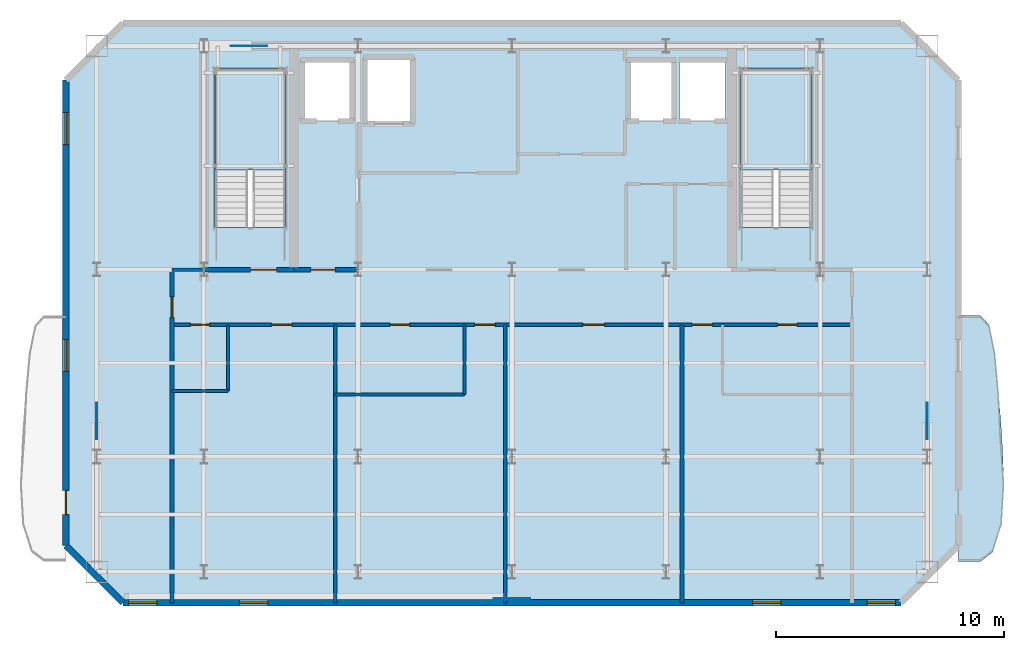
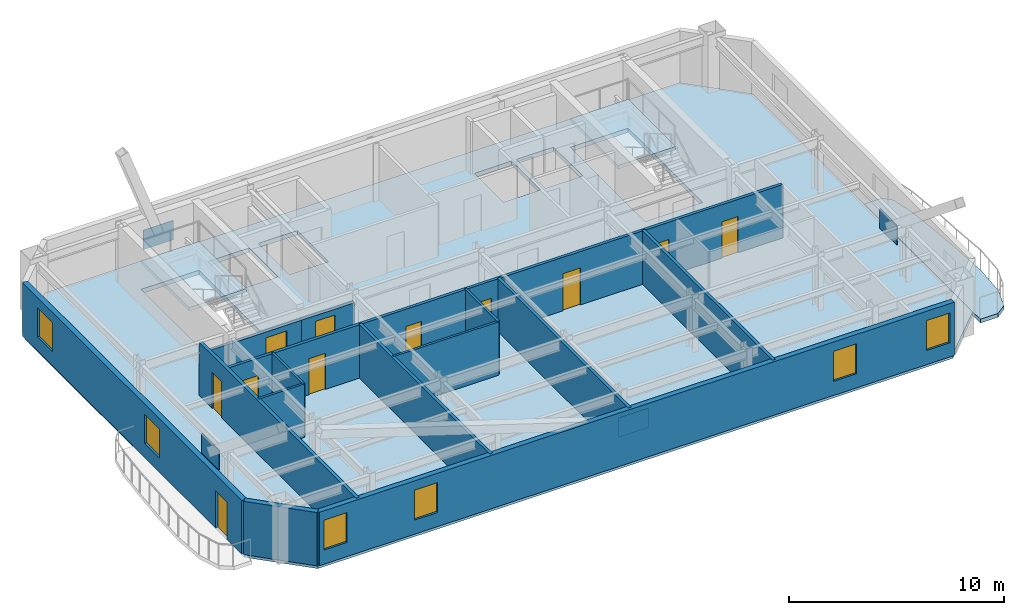
# One storey, part 2 of 6: 15 walls, 11 doors, 6 windows, 4 plates, 4 slabs, 17 openings, 2 elements without a shape of their own.
"""IFC4 building model written with IfcOpenShell, lengths in metres."""

import ifcopenshell
import ifcopenshell.guid

model = None  # the IFC model being written
_history = None  # IfcOwnerHistory: only IFC2X3 demands one
_inside = {}  # id of a spatial element -> (the spatial element, [elements in it])
_under = {}  # id of a project, library or spatial element -> (it, [spatial elements below it])
_declared = {}  # id of a project -> (the project, [libraries it declares])
_typed = {}  # id of a type object -> (the type object, [elements of that type])
_made_of = {}  # id of a material, layer set ... -> (it, [elements and type objects made of it])


def new_model(schema):
    """Start an empty IFC model of exactly this schema.

    Asked for "IFC4X3", IfcOpenShell would pick the latest addendum, in which some entities
    have other attributes; the version numbers below select the first issue.
    IFC2X3 requires an IfcOwnerHistory on every rooted entity: one is made here for all.
    """
    global model, _history
    if schema == "IFC4X3":
        model = ifcopenshell.file(schema_version=(4, 3, 0, 0))
    else:
        model = ifcopenshell.file(schema=schema)
    _inside.clear()
    _under.clear()
    _declared.clear()
    _typed.clear()
    _made_of.clear()
    _history = None
    if model.schema == "IFC2X3":
        org = make("IfcOrganization", Name="unknown")
        user = make(
            "IfcPersonAndOrganization",
            ThePerson=make("IfcPerson", FamilyName="unknown"),
            TheOrganization=org,
        )
        app = make(
            "IfcApplication",
            ApplicationDeveloper=org,
            Version="unknown",
            ApplicationFullName="unknown",
            ApplicationIdentifier="unknown",
        )
        _history = make(
            "IfcOwnerHistory",
            OwningUser=user,
            OwningApplication=app,
            ChangeAction="ADDED",
            CreationDate=0,
        )
    return model


def make(cls, **values):
    """One entity of the class cls with the attributes given. An attribute that is None is left unset."""
    return model.create_entity(
        cls, **{name: value for name, value in values.items() if value is not None}
    )


def rooted(cls, **values):
    """An entity with a GlobalId (a new one), such as an element, a storey or a relation."""
    return make(cls, GlobalId=ifcopenshell.guid.new(), OwnerHistory=_history, **values)


def si_unit(unit_type, name, prefix=None):
    """IfcSIUnit, for example si_unit("LENGTHUNIT", "METRE", prefix="MILLI")."""
    return make("IfcSIUnit", UnitType=unit_type, Prefix=prefix, Name=name)


def assignment(units):
    """IfcUnitAssignment: the units of a project."""
    return None if units is None else make("IfcUnitAssignment", Units=units)


def point(xyz):
    """IfcCartesianPoint."""
    return None if xyz is None else make("IfcCartesianPoint", Coordinates=xyz)


def direction(xyz):
    """IfcDirection."""
    return None if xyz is None else make("IfcDirection", DirectionRatios=xyz)


def frame(location, z_axis=None, x_axis=None):
    """IfcAxis2Placement3D, a coordinate frame: its origin and axes. An axis left out is left unset."""
    return make(
        "IfcAxis2Placement3D",
        Location=point(location),
        Axis=direction(z_axis),
        RefDirection=direction(x_axis),
    )


def frame_2d(location, x_axis=None):
    """IfcAxis2Placement2D, a coordinate frame in the plane: its origin and x axis."""
    return make(
        "IfcAxis2Placement2D", Location=point(location), RefDirection=direction(x_axis)
    )


def origin():
    """The frame at (0, 0, 0) with its axes left unset."""
    return frame((0.0, 0.0, 0.0))


def origin_2d():
    """The frame at (0, 0) in the plane with its x axis left unset."""
    return frame_2d((0.0, 0.0))


def place(relative_to, where):
    """IfcLocalPlacement: puts the frame where relative to a parent placement (None: the world)."""
    return make(
        "IfcLocalPlacement", PlacementRelTo=relative_to, RelativePlacement=where
    )


def context(
    kind, dimensions, precision=None, world=None, true_north=None, identifier=None
):
    """IfcGeometricRepresentationContext, for example the 3D "Model" context."""
    return make(
        "IfcGeometricRepresentationContext",
        ContextIdentifier=identifier,
        ContextType=kind,
        CoordinateSpaceDimension=dimensions,
        Precision=precision,
        WorldCoordinateSystem=world,
        TrueNorth=true_north,
    )


def subcontext(parent, identifier, kind, view, scale=None):
    """IfcGeometricRepresentationSubContext, for example "Body" below "Model"."""
    return make(
        "IfcGeometricRepresentationSubContext",
        ContextIdentifier=identifier,
        ContextType=kind,
        ParentContext=parent,
        TargetScale=scale,
        TargetView=view,
    )


def project(units=None, contexts=None):
    """IfcProject with its units and contexts."""
    return rooted(
        "IfcProject",
        Name="project",
        RepresentationContexts=contexts,
        UnitsInContext=assignment(units),
    )


def spatial(cls, under=None, at=None, **own):
    """A site, building, storey or space (cls), placed at a placement, below another one or the project."""
    s = rooted(cls, ObjectPlacement=at, **own)
    if under is not None:
        _under.setdefault(under.id(), (under, []))[1].append(s)
    return s


def polyline(points):
    """IfcPolyline through the points."""
    return make("IfcPolyline", Points=[point(p) for p in points])


def profile(cls, at=None, kind="AREA", **sizes):
    """A parametric profile (cls). Its sizes go by their IFC names, for example OverallWidth=200.0."""
    return make(cls, ProfileType=kind, Position=at, **sizes)


def rectangle(**sizes):
    """IfcRectangleProfileDef."""
    return profile("IfcRectangleProfileDef", **sizes)


def outline(outer, holes=None, kind="AREA"):
    """IfcArbitraryClosedProfileDef: a profile drawn as a closed curve; with holes, ...WithVoids."""
    if holes is None:
        return make("IfcArbitraryClosedProfileDef", ProfileType=kind, OuterCurve=outer)
    return make(
        "IfcArbitraryProfileDefWithVoids",
        ProfileType=kind,
        OuterCurve=outer,
        InnerCurves=holes,
    )


def extrude(swept, where, along, depth):
    """IfcExtrudedAreaSolid: the profile swept, set in the frame where, extruded along a direction by depth."""
    return make(
        "IfcExtrudedAreaSolid",
        SweptArea=swept,
        Position=where,
        ExtrudedDirection=direction(along),
        Depth=depth,
    )


def shape(context_of_items, identifier, shape_type, items):
    """IfcShapeRepresentation: the items that make up one representation, for example the "Body"."""
    return make(
        "IfcShapeRepresentation",
        ContextOfItems=context_of_items,
        RepresentationIdentifier=identifier,
        RepresentationType=shape_type,
        Items=items,
    )


def material(Name=None, Category=None):
    """IfcMaterial."""
    return make("IfcMaterial", Name=Name, Category=Category)


def layer(
    of_material, thickness, ventilated=None, Name=None, Category=None, Priority=None
):
    """IfcMaterialLayer: one layer of a wall or slab, of a material (None: an air gap)."""
    return make(
        "IfcMaterialLayer",
        Material=of_material,
        LayerThickness=thickness,
        IsVentilated=ventilated,
        Name=Name,
        Category=Category,
        Priority=Priority,
    )


def layer_set(layers, Name=None):
    """IfcMaterialLayerSet."""
    return make("IfcMaterialLayerSet", MaterialLayers=layers, LayerSetName=Name)


def made_of(thing, what):
    """Note that an element or type object is made of a material, layer set ...; save() writes the relation."""
    if what is not None:
        _made_of.setdefault(what.id(), (what, []))[1].append(thing)
    return thing


def type_object(cls, material=None, **own):
    """A type object (cls), such as IfcWallType, which elements share."""
    return made_of(rooted(cls, **own), material)


def element(
    cls,
    number,
    at=None,
    inside=None,
    cuts=None,
    type_object=None,
    material=None,
    context=None,
    identifier="Body",
    shape_type=None,
    held_by="IfcProductDefinitionShape",
    body=None,
    shapes=None,
    **own,
):
    """One element of the class cls, such as IfcWall. Its Tag is "e" and its number.

    at: its placement. inside: the storey or other place that contains it. cuts: it is an
    opening in that element (IfcRelVoidsElement). A single representation is given by context,
    identifier, shape_type and body (its items); several are given by shapes. held_by: the class
    of the entity that holds the representations. save() writes the other relations.
    """
    e = rooted(cls, Tag="e%d" % number, ObjectPlacement=at, **own)
    if body is not None:
        shapes = [shape(context, identifier, shape_type, body)]
    if shapes is not None:
        e.Representation = make(held_by, Representations=shapes)
    if inside is not None:
        _inside.setdefault(inside.id(), (inside, []))[1].append(e)
    if cuts is not None:
        rooted(
            "IfcRelVoidsElement", RelatingBuildingElement=cuts, RelatedOpeningElement=e
        )
    if type_object is not None:
        _typed.setdefault(type_object.id(), (type_object, []))[1].append(e)
    return made_of(e, material)


def fill(opening, filler):
    """IfcRelFillsElement: the door or window that sits in an opening."""
    return rooted(
        "IfcRelFillsElement",
        RelatingOpeningElement=opening,
        RelatedBuildingElement=filler,
    )


def aggregate(whole, parts):
    """IfcRelAggregates: a whole, such as a stair, and the parts it consists of."""
    return rooted("IfcRelAggregates", RelatingObject=whole, RelatedObjects=parts)


def save(model, path):
    """Write the relations noted so far, then the file.

    IfcRelAggregates (storeys below a building ...), IfcRelContainedInSpatialStructure (elements
    in a storey), IfcRelDefinesByType, IfcRelAssociatesMaterial and IfcRelDeclares: one each for
    every whole, place, type object, material and project.
    """
    for whole, parts in _under.values():
        aggregate(whole, parts)
    for where, things in _inside.values():
        rooted(
            "IfcRelContainedInSpatialStructure",
            RelatedElements=things,
            RelatingStructure=where,
        )
    for kind, things in _typed.values():
        rooted("IfcRelDefinesByType", RelatedObjects=things, RelatingType=kind)
    for what, things in _made_of.values():
        rooted("IfcRelAssociatesMaterial", RelatedObjects=things, RelatingMaterial=what)
    for by, libraries in _declared.values():
        rooted("IfcRelDeclares", RelatingContext=by, RelatedDefinitions=libraries)
    model.write(path)


model = new_model("IFC4")

# Units and contexts
model_context = context("Model", 3, precision=1e-05, world=origin(), true_north=direction((0.0, 1.0)))
body_context = subcontext(model_context, "Body", "Model", "MODEL_VIEW")
ifc_project = project(units=[si_unit("LENGTHUNIT", "METRE"), si_unit("AREAUNIT", "SQUARE_METRE"), si_unit("VOLUMEUNIT", "CUBIC_METRE"), si_unit("PLANEANGLEUNIT", "RADIAN"), si_unit("MASSUNIT", "GRAM", prefix="KILO")], contexts=[model_context])

# Site, building, storey
site_placement = place(None, origin())
site = spatial("IfcSite", under=ifc_project, at=site_placement, CompositionType="ELEMENT")
building_placement = place(site_placement, origin())
building = spatial("IfcBuilding", under=site, at=building_placement, Name="Haevon Station Towers", CompositionType="ELEMENT")
storey_placement = place(building_placement, frame((0.0, 0.0, 262.5)))
storey = spatial("IfcBuildingStorey", under=building, at=storey_placement, Name="L73", CompositionType="ELEMENT", Elevation=262.5)

# Plates
ifc_material_1 = material(Name="PL-GUS1", Category="steel")
ifc_layer_1 = layer(ifc_material_1, 0.035888671875)
ifc_layer_set_1 = layer_set([ifc_layer_1], Name="PL-GUS1")
plate_type = type_object("IfcPlateType", Name="PL-GUS1", PredefinedType="USERDEFINED", material=ifc_layer_set_1)
for number, where, z_axis, x_axis, name in (
    (1, (37.5, 23.780029296875, 1.4150390625), (0.0, 0.0, 1.0), (1.0, 0.0, 0.0), "PL-T1GUS-T11-S"),
    (2, (25.97509765625, 48.0, 1.4150390625), (0.0, 0.0, 1.0), (1.0, 0.0, 0.0), "PL-T1GUS-T11-N"),
    (3, (19.300048828125, 31.574951171875, 1.4150390625), (0.0, 0.0, 1.0), (0.0, 1.0, 0.0), "PL-T1GUS-T11-W"),
    (4, (55.699951171875, 31.574951171875, 1.4150390625), (0.0, 0.0, 1.0), (0.0, 1.0, 0.0), "PL-T1GUS-T11-E"),
):
    element("IfcPlate", number, at=place(storey_placement, frame(where, z_axis=z_axis, x_axis=x_axis)), inside=storey, type_object=plate_type, Name=name, ObjectType="GUSSET_PLATE", PredefinedType="USERDEFINED", context=body_context, shape_type="SweptSolid", body=[
        extrude(rectangle(XDim=1.60009765625, YDim=0.035888671875, at=origin_2d()), origin(), (0.0, 0.0, 1.0), 1.10009765625),
    ])

# Slab
ifc_material_2 = material(Name="Concrete C40/50", Category="concrete")
ifc_layer_2 = layer(ifc_material_2, 0.219970703125)
ifc_layer_set_2 = layer_set([ifc_layer_2], Name="Concrete C40/50")
slab_type_1 = type_object("IfcSlabType", Name="SL-BALC220", PredefinedType="FLOOR", material=ifc_layer_set_2)
slab_1_placement = place(storey_placement, frame((0.0, 0.0, -0.219970703125)))
element("IfcSlab", 5, at=slab_1_placement, inside=storey, type_object=slab_type_1, Name="Tower 1 L73 East SCALLOPED BALCONY", PredefinedType="FLOOR", context=body_context, shape_type="SweptSolid", body=[
    extrude(outline(polyline([(57.054931640625, 25.39990234375), (58.012451171875, 25.39990234375), (58.56591796875, 25.81103515625), (58.947265625, 26.981689453125), (59.062255859375, 28.7333984375), (58.9755859375, 30.800048828125), (58.81982421875, 32.866455078125), (58.6494140625, 34.618408203125), (58.403076171875, 35.7890625), (58.012451171875, 36.199951171875), (57.054931640625, 36.199951171875), (57.054931640625, 25.39990234375)])), origin(), (0.0, 0.0, 1.0), 0.219970703125),
])

# Stair, slab
stair_type = type_object("IfcStairType", Name="STR-DL1450", PredefinedType="USERDEFINED", material=ifc_material_2)
stair_1_placement = place(storey_placement, origin())
stair_1 = element("IfcStair", 6, at=stair_1_placement, inside=storey, type_object=stair_type, Name="L73 Escape Stair ST1", ObjectType="TWO_RETURN_STAIR", PredefinedType="USERDEFINED")
ifc_layer_3 = layer(ifc_material_2, 0.199951171875)
ifc_layer_set_3 = layer_set([ifc_layer_3], Name="Concrete C40/50")
slab_type_2 = type_object("IfcSlabType", Name="SL-LND200", PredefinedType="LANDING", material=ifc_layer_set_3)
slab_2_placement = place(storey_placement, frame((0.0, 0.0, 1.449951171875)))
slab_2 = element("IfcSlab", 7, at=slab_2_placement, type_object=slab_type_2, Name="L73 ST1 Half Landing 1", PredefinedType="LANDING", context=body_context, shape_type="SweptSolid", body=[
    extrude(outline(polyline([(27.580078125, 42.56396484375), (27.580078125, 47.0), (24.47998046875, 47.0), (24.47998046875, 42.56396484375), (27.580078125, 42.56396484375)])), origin(), (0.0, 0.0, 1.0), 0.199951171875),
])
aggregate(stair_1, [slab_2])

stair_2_placement = place(storey_placement, origin())
stair_2 = element("IfcStair", 8, at=stair_2_placement, inside=storey, type_object=stair_type, Name="L73 Escape Stair ST2", ObjectType="TWO_RETURN_STAIR", PredefinedType="USERDEFINED")
slab_3_placement = place(storey_placement, frame((0.0, 0.0, 1.449951171875)))
slab_3 = element("IfcSlab", 9, at=slab_3_placement, type_object=slab_type_2, Name="L73 ST2 Half Landing 1", PredefinedType="LANDING", context=body_context, shape_type="SweptSolid", body=[
    extrude(outline(polyline([(50.6201171875, 42.56396484375), (50.6201171875, 47.0), (47.52001953125, 47.0), (47.52001953125, 42.56396484375), (50.6201171875, 42.56396484375)])), origin(), (0.0, 0.0, 1.0), 0.199951171875),
])
aggregate(stair_2, [slab_3])

# Slab
ifc_layer_4 = layer(ifc_material_2, 0.25)
ifc_layer_set_4 = layer_set([ifc_layer_4], Name="Concrete C40/50")
slab_type_3 = type_object("IfcSlabType", Name="SL-TW250", PredefinedType="FLOOR", material=ifc_layer_set_4)
slab_4_placement = place(storey_placement, frame((0.0, 0.0, -0.25)))
element("IfcSlab", 10, at=slab_4_placement, inside=storey, type_object=slab_type_3, Name="SL-T1-L73", PredefinedType="FLOOR", context=body_context, shape_type="SweptSolid", body=[
    extrude(outline(polyline([(20.449951171875, 23.60009765625), (54.550048828125, 23.60009765625), (57.050048828125, 26.10009765625), (57.050048828125, 46.5), (54.550048828125, 49.0), (20.449951171875, 49.0), (17.949951171875, 46.5), (17.949951171875, 26.10009765625), (20.449951171875, 23.60009765625)]), holes=[polyline([(27.580078125, 40.055908203125), (27.580078125, 47.0), (24.47998046875, 47.0), (24.47998046875, 40.055908203125), (27.580078125, 40.055908203125)]), polyline([(50.6201171875, 40.055908203125), (50.6201171875, 47.0), (47.52001953125, 47.0), (47.52001953125, 40.055908203125), (50.6201171875, 40.055908203125)]), polyline([(28.300048828125, 44.699951171875), (30.5, 44.699951171875), (30.5, 47.39990234375), (28.300048828125, 47.39990234375), (28.300048828125, 44.699951171875)]), polyline([(31.050048828125, 44.60009765625), (33.14990234375, 44.60009765625), (33.14990234375, 47.5), (31.050048828125, 47.5), (31.050048828125, 44.60009765625)]), polyline([(42.60009765625, 44.699951171875), (44.60009765625, 44.699951171875), (44.60009765625, 47.39990234375), (42.60009765625, 47.39990234375), (42.60009765625, 44.699951171875)]), polyline([(44.85009765625, 44.699951171875), (46.85009765625, 44.699951171875), (46.85009765625, 47.39990234375), (44.85009765625, 47.39990234375), (44.85009765625, 44.699951171875)])]), origin(), (0.0, 0.0, 1.0), 0.25),
])

# Wall, opening, door
ifc_material_3 = material(Name="Gypsum board on steel stud", Category="steel")
ifc_layer_5 = layer(ifc_material_3, 0.179931640625)
ifc_layer_set_5 = layer_set([ifc_layer_5], Name="Gypsum board on steel stud")
wall_type_1 = type_object("IfcWallType", Name="WL-ACU180", PredefinedType="PARTITIONING", material=ifc_layer_set_5)
wall_1_placement = place(storey_placement, frame((22.60009765625, 23.60009765625, 0.0), z_axis=(0.0, 0.0, 1.0), x_axis=(0.0, 1.0, 0.0)))
wall_1 = element("IfcWall", 11, at=wall_1_placement, inside=storey, type_object=wall_type_1, Name="WL-T1PT-L73-03", PredefinedType="PARTITIONING", context=body_context, shape_type="SweptSolid", body=[
    extrude(rectangle(XDim=14.599853515625, YDim=0.179931640625, at=frame_2d((7.2998046875, 0.0))), origin(), (0.0, 0.0, 1.0), 3.030029296875),
])
opening_1_placement = place(wall_1_placement, frame((12.5, 0.0, 0.0)))
opening_1 = element("IfcOpeningElement", 12, at=opening_1_placement, cuts=wall_1, Name="Opening DR-WL-T1PT-L73-03-01", PredefinedType="OPENING", context=body_context, shape_type="SweptSolid", body=[
    extrude(rectangle(XDim=0.89990234375, YDim=2.050048828125, at=frame_2d((0.449951171875, 1.02490234375))), frame((0.0, 0.099853515625, 0.0), z_axis=(0.0, -1.0, 0.0), x_axis=(1.0, 0.0, 0.0)), (0.0, 0.0, 1.0), 0.199951171875),
])
ifc_material_4 = material(Name="Engineered oak timber", Category="wood")
door_type_1 = type_object("IfcDoorType", Name="DR-INT-900", OperationType="NOTDEFINED", PredefinedType="DOOR", material=ifc_material_4)
door_1_placement = place(opening_1_placement, origin())
door_1 = element("IfcDoor", 13, at=door_1_placement, inside=storey, type_object=door_type_1, Name="L73 Tower 1 Room Door 3-1", OperationType="SINGLE_SWING_RIGHT", OverallHeight=2.050048828125, OverallWidth=0.89990234375, PredefinedType="DOOR", context=body_context, shape_type="SweptSolid", body=[
    extrude(rectangle(XDim=0.89990234375, YDim=2.050048828125, at=frame_2d((0.449951171875, 1.02490234375))), frame((0.0, 0.02490234375, 0.0), z_axis=(0.0, -1.0, 0.0), x_axis=(1.0, 0.0, 0.0)), (0.0, 0.0, 1.0), 0.050048828125),
])
fill(opening_1, door_1)

ifc_layer_6 = layer(ifc_material_3, 0.199951171875)
ifc_layer_set_6 = layer_set([ifc_layer_6], Name="Gypsum board on steel stud")
wall_type_2 = type_object("IfcWallType", Name="WL-COR200", PredefinedType="PARTITIONING", material=ifc_layer_set_6)
wall_2_placement = place(storey_placement, frame((24.0, 38.199951171875, 0.0), z_axis=(0.0, 0.0, 1.0), x_axis=(1.0, 0.0, 0.0)))
wall_2 = element("IfcWall", 14, at=wall_2_placement, inside=storey, type_object=wall_type_2, Name="WL-ST-ST1-L73", PredefinedType="PARTITIONING", context=body_context, shape_type="SweptSolid", body=[
    extrude(rectangle(XDim=3.949951171875, YDim=0.199951171875, at=frame_2d((1.97509765625, 0.0))), origin(), (0.0, 0.0, 1.0), 2.429931640625),
])
opening_2_placement = place(wall_2_placement, frame((2.050048828125, 0.0, 0.0)))
opening_2 = element("IfcOpeningElement", 15, at=opening_2_placement, cuts=wall_2, Name="Opening DR-ST-ST1-L73", PredefinedType="OPENING", context=body_context, shape_type="SweptSolid", body=[
    extrude(rectangle(XDim=1.1201171875, YDim=2.10009765625, at=frame_2d((0.56005859375, 1.050048828125))), frame((0.0, 0.10986328125, 0.0), z_axis=(0.0, -1.0, 0.0), x_axis=(1.0, 0.0, 0.0)), (0.0, 0.0, 1.0), 0.219970703125),
])
door_type_2 = type_object("IfcDoorType", Name="DR-ST-1120", OperationType="NOTDEFINED", PredefinedType="DOOR", material=ifc_material_4)
door_2_placement = place(opening_2_placement, origin())
door_2 = element("IfcDoor", 16, at=door_2_placement, inside=storey, type_object=door_type_2, Name="L73 Escape Stair ST1 Fire Door", OperationType="SINGLE_SWING_RIGHT", OverallHeight=2.10009765625, OverallWidth=1.1201171875, PredefinedType="DOOR", context=body_context, shape_type="SweptSolid", body=[
    extrude(rectangle(XDim=1.1201171875, YDim=2.10009765625, at=frame_2d((0.56005859375, 1.050048828125))), frame((0.0, 0.02490234375, 0.0), z_axis=(0.0, -1.0, 0.0), x_axis=(1.0, 0.0, 0.0)), (0.0, 0.0, 1.0), 0.050048828125),
])
fill(opening_2, door_2)

wall_3_placement = place(storey_placement, frame((27.949951171875, 38.199951171875, 0.0), z_axis=(0.0, 0.0, 1.0), x_axis=(1.0, 0.0, 0.0)))
wall_3 = element("IfcWall", 17, at=wall_3_placement, inside=storey, type_object=wall_type_2, Name="WL-T1FFL-L73-S", PredefinedType="PARTITIONING", context=body_context, shape_type="SweptSolid", body=[
    extrude(rectangle(XDim=2.85009765625, YDim=0.199951171875, at=frame_2d((1.425048828125, 0.0))), origin(), (0.0, 0.0, 1.0), 2.429931640625),
])
opening_3_placement = place(wall_3_placement, frame((0.75, 0.0, 0.0)))
opening_3 = element("IfcOpeningElement", 18, at=opening_3_placement, cuts=wall_3, Name="Opening DR-T1FFL-L73-S", PredefinedType="OPENING", context=body_context, shape_type="SweptSolid", body=[
    extrude(rectangle(XDim=1.050048828125, YDim=2.10009765625, at=frame_2d((0.52490234375, 1.050048828125))), frame((0.0, 0.10986328125, 0.0), z_axis=(0.0, -1.0, 0.0), x_axis=(1.0, 0.0, 0.0)), (0.0, 0.0, 1.0), 0.219970703125),
])
door_type_3 = type_object("IfcDoorType", Name="DR-FD60-1050", OperationType="NOTDEFINED", PredefinedType="DOOR", material=ifc_material_4)
door_3_placement = place(opening_3_placement, origin())
door_3 = element("IfcDoor", 19, at=door_3_placement, inside=storey, type_object=door_type_3, Name="L73 Tower 1 Firefighting Lift Lobby Door S", OperationType="SINGLE_SWING_LEFT", OverallHeight=2.10009765625, OverallWidth=1.050048828125, PredefinedType="DOOR", context=body_context, shape_type="SweptSolid", body=[
    extrude(rectangle(XDim=1.050048828125, YDim=2.10009765625, at=frame_2d((0.52490234375, 1.050048828125))), frame((0.0, 0.02490234375, 0.0), z_axis=(0.0, -1.0, 0.0), x_axis=(1.0, 0.0, 0.0)), (0.0, 0.0, 1.0), 0.050048828125),
])
fill(opening_3, door_3)

# Wall, openings, windows
ifc_material_5 = material(Name="Precast concrete C45/55", Category="concrete")
ifc_layer_7 = layer(ifc_material_5, 0.280029296875)
ifc_layer_set_7 = layer_set([ifc_layer_7], Name="Precast concrete C45/55")
wall_type_3 = type_object("IfcWallType", Name="WL-EXT-PIER280", PredefinedType="SOLIDWALL", material=ifc_layer_set_7)
wall_4_placement = place(storey_placement, frame((54.550048828125, 23.60009765625, 0.0), z_axis=(0.0, 0.0, 1.0), x_axis=(-1.0, 0.0, 0.0)))
wall_4 = element("IfcWall", 20, at=wall_4_placement, inside=storey, type_object=wall_type_3, Name="WL-T1-L73-S", PredefinedType="SOLIDWALL", context=body_context, shape_type="SweptSolid", body=[
    extrude(rectangle(XDim=34.10009765625, YDim=0.280029296875, at=frame_2d((17.050048828125, 0.0))), origin(), (0.0, 0.0, 1.0), 3.030029296875),
])
opening_4_placement = place(wall_4_placement, frame((32.60009765625, 0.0, 0.800048828125)))
opening_4 = element("IfcOpeningElement", 21, at=opening_4_placement, cuts=wall_4, Name="Opening WN-P125", PredefinedType="OPENING", context=body_context, shape_type="SweptSolid", body=[
    extrude(rectangle(XDim=1.25, YDim=1.699951171875, at=frame_2d((0.625, 0.85009765625))), frame((0.0, 0.14990234375, 0.0), z_axis=(0.0, -1.0, 0.0), x_axis=(1.0, 0.0, 0.0)), (0.0, 0.0, 1.0), 0.300048828125),
])
opening_5_placement = place(wall_4_placement, frame((0.25, 0.0, 0.800048828125)))
opening_5 = element("IfcOpeningElement", 22, at=opening_5_placement, cuts=wall_4, Name="Opening WN-P125", PredefinedType="OPENING", context=body_context, shape_type="SweptSolid", body=[
    extrude(rectangle(XDim=1.25, YDim=1.699951171875, at=frame_2d((0.625, 0.85009765625))), frame((0.0, 0.14990234375, 0.0), z_axis=(0.0, -1.0, 0.0), x_axis=(1.0, 0.0, 0.0)), (0.0, 0.0, 1.0), 0.300048828125),
])
opening_6_placement = place(wall_4_placement, frame((27.7490234375, 0.0, 0.800048828125)))
opening_6 = element("IfcOpeningElement", 23, at=opening_6_placement, cuts=wall_4, Name="Opening WN-P125", PredefinedType="OPENING", context=body_context, shape_type="SweptSolid", body=[
    extrude(rectangle(XDim=1.25, YDim=1.699951171875, at=frame_2d((0.625, 0.85009765625))), frame((0.0, 0.14990234375, 0.0), z_axis=(0.0, -1.0, 0.0), x_axis=(1.0, 0.0, 0.0)), (0.0, 0.0, 1.0), 0.300048828125),
])
opening_7_placement = place(wall_4_placement, frame((5.25, 0.0, 0.800048828125)))
opening_7 = element("IfcOpeningElement", 24, at=opening_7_placement, cuts=wall_4, Name="Opening WN-P125", PredefinedType="OPENING", context=body_context, shape_type="SweptSolid", body=[
    extrude(rectangle(XDim=1.25, YDim=1.699951171875, at=frame_2d((0.625, 0.85009765625))), frame((0.0, 0.14990234375, 0.0), z_axis=(0.0, -1.0, 0.0), x_axis=(1.0, 0.0, 0.0)), (0.0, 0.0, 1.0), 0.300048828125),
])
ifc_material_6 = material(Name="Low-E triple glazing in thermally broken aluminium", Category="aluminium")
window_type_1 = type_object("IfcWindowType", Name="WN-P125", PartitioningType="SINGLE_PANEL", PredefinedType="WINDOW", material=ifc_material_6)
window_1_placement = place(opening_4_placement, origin())
window_1 = element("IfcWindow", 25, at=window_1_placement, inside=storey, type_object=window_type_1, Name="WN-T1-L73-S01", OverallHeight=1.699951171875, OverallWidth=1.25, PartitioningType="SINGLE_PANEL", PredefinedType="WINDOW", context=body_context, shape_type="SweptSolid", body=[
    extrude(rectangle(XDim=1.25, YDim=1.699951171875, at=frame_2d((0.625, 0.85009765625))), frame((0.0, 0.030029296875, 0.0), z_axis=(0.0, -1.0, 0.0), x_axis=(1.0, 0.0, 0.0)), (0.0, 0.0, 1.0), 0.06005859375),
])
fill(opening_4, window_1)
window_2_placement = place(opening_5_placement, origin())
window_2 = element("IfcWindow", 26, at=window_2_placement, inside=storey, type_object=window_type_1, Name="WN-T1-L73-S02", OverallHeight=1.699951171875, OverallWidth=1.25, PartitioningType="SINGLE_PANEL", PredefinedType="WINDOW", context=body_context, shape_type="SweptSolid", body=[
    extrude(rectangle(XDim=1.25, YDim=1.699951171875, at=frame_2d((0.625, 0.85009765625))), frame((0.0, 0.030029296875, 0.0), z_axis=(0.0, -1.0, 0.0), x_axis=(1.0, 0.0, 0.0)), (0.0, 0.0, 1.0), 0.06005859375),
])
fill(opening_5, window_2)
window_3_placement = place(opening_6_placement, origin())
window_3 = element("IfcWindow", 27, at=window_3_placement, inside=storey, type_object=window_type_1, Name="WN-T1-L73-S03", OverallHeight=1.699951171875, OverallWidth=1.25, PartitioningType="SINGLE_PANEL", PredefinedType="WINDOW", context=body_context, shape_type="SweptSolid", body=[
    extrude(rectangle(XDim=1.25, YDim=1.699951171875, at=frame_2d((0.625, 0.85009765625))), frame((0.0, 0.030029296875, 0.0), z_axis=(0.0, -1.0, 0.0), x_axis=(1.0, 0.0, 0.0)), (0.0, 0.0, 1.0), 0.06005859375),
])
fill(opening_6, window_3)
window_4_placement = place(opening_7_placement, origin())
window_4 = element("IfcWindow", 28, at=window_4_placement, inside=storey, type_object=window_type_1, Name="WN-T1-L73-S04", OverallHeight=1.699951171875, OverallWidth=1.25, PartitioningType="SINGLE_PANEL", PredefinedType="WINDOW", context=body_context, shape_type="SweptSolid", body=[
    extrude(rectangle(XDim=1.25, YDim=1.699951171875, at=frame_2d((0.625, 0.85009765625))), frame((0.0, 0.030029296875, 0.0), z_axis=(0.0, -1.0, 0.0), x_axis=(1.0, 0.0, 0.0)), (0.0, 0.0, 1.0), 0.06005859375),
])
fill(opening_7, window_4)

# Wall
wall_5_placement = place(storey_placement, frame((20.449951171875, 23.60009765625, 0.0), z_axis=(0.0, 0.0, 1.0), x_axis=(-0.707106781187, 0.707106781187, 0.0)))
element("IfcWall", 29, at=wall_5_placement, inside=storey, type_object=wall_type_3, Name="WL-T1-L73-SWC", PredefinedType="SOLIDWALL", context=body_context, shape_type="SweptSolid", body=[
    extrude(rectangle(XDim=3.53564453125, YDim=0.280029296875, at=frame_2d((1.767822265625, 0.0))), origin(), (0.0, 0.0, 1.0), 3.030029296875),
])

# Wall, openings, door, windows
wall_6_placement = place(storey_placement, frame((17.949951171875, 26.10009765625, 0.0), z_axis=(0.0, 0.0, 1.0), x_axis=(0.0, 1.0, 0.0)))
wall_6 = element("IfcWall", 30, at=wall_6_placement, inside=storey, type_object=wall_type_3, Name="WL-T1-L73-W", PredefinedType="SOLIDWALL", context=body_context, shape_type="SweptSolid", body=[
    extrude(rectangle(XDim=20.39990234375, YDim=0.280029296875, at=frame_2d((10.199951171875, 0.0))), origin(), (0.0, 0.0, 1.0), 3.030029296875),
])
opening_8_placement = place(wall_6_placement, frame((1.375, 0.0, 0.0)))
opening_8 = element("IfcOpeningElement", 31, at=opening_8_placement, cuts=wall_6, Name="Opening DR-T1-SCAL-L73-W", PredefinedType="OPENING", context=body_context, shape_type="SweptSolid", body=[
    extrude(rectangle(XDim=1.050048828125, YDim=2.10009765625, at=frame_2d((0.52490234375, 1.050048828125))), frame((0.0, 0.14990234375, 0.0), z_axis=(0.0, -1.0, 0.0), x_axis=(1.0, 0.0, 0.0)), (0.0, 0.0, 1.0), 0.300048828125),
])
opening_9_placement = place(wall_6_placement, frame((7.6357421875, 0.0, 0.800048828125)))
opening_9 = element("IfcOpeningElement", 32, at=opening_9_placement, cuts=wall_6, Name="Opening WN-END140", PredefinedType="OPENING", context=body_context, shape_type="SweptSolid", body=[
    extrude(rectangle(XDim=1.39990234375, YDim=1.64990234375, at=frame_2d((0.699951171875, 0.824951171875))), frame((0.0, 0.14990234375, 0.0), z_axis=(0.0, -1.0, 0.0), x_axis=(1.0, 0.0, 0.0)), (0.0, 0.0, 1.0), 0.300048828125),
])
opening_10_placement = place(wall_6_placement, frame((17.57861328125, 0.0, 0.800048828125)))
opening_10 = element("IfcOpeningElement", 33, at=opening_10_placement, cuts=wall_6, Name="Opening WN-END140", PredefinedType="OPENING", context=body_context, shape_type="SweptSolid", body=[
    extrude(rectangle(XDim=1.39990234375, YDim=1.64990234375, at=frame_2d((0.699951171875, 0.824951171875))), frame((0.0, 0.14990234375, 0.0), z_axis=(0.0, -1.0, 0.0), x_axis=(1.0, 0.0, 0.0)), (0.0, 0.0, 1.0), 0.300048828125),
])
ifc_material_7 = material(Name="Thermally broken anodised aluminium and laminated safety glass", Category="aluminium")
door_type_4 = type_object("IfcDoorType", Name="DR-BALC-1050", OperationType="NOTDEFINED", PredefinedType="DOOR", material=ifc_material_7)
door_4_placement = place(opening_8_placement, origin())
door_4 = element("IfcDoor", 34, at=door_4_placement, inside=storey, type_object=door_type_4, Name="Tower 1 L73 West Scalloped Balcony Door", OperationType="SINGLE_SWING_LEFT", OverallHeight=2.10009765625, OverallWidth=1.050048828125, PredefinedType="DOOR", context=body_context, shape_type="SweptSolid", body=[
    extrude(rectangle(XDim=1.050048828125, YDim=2.10009765625, at=frame_2d((0.52490234375, 1.050048828125))), frame((0.0, 0.02490234375, 0.0), z_axis=(0.0, -1.0, 0.0), x_axis=(1.0, 0.0, 0.0)), (0.0, 0.0, 1.0), 0.050048828125),
])
fill(opening_8, door_4)
window_type_2 = type_object("IfcWindowType", Name="WN-END140", PartitioningType="SINGLE_PANEL", PredefinedType="WINDOW", material=ifc_material_6)
window_5_placement = place(opening_9_placement, origin())
window_5 = element("IfcWindow", 35, at=window_5_placement, inside=storey, type_object=window_type_2, Name="WN-T1-L73-W01", OverallHeight=1.64990234375, OverallWidth=1.39990234375, PartitioningType="SINGLE_PANEL", PredefinedType="WINDOW", context=body_context, shape_type="SweptSolid", body=[
    extrude(rectangle(XDim=1.39990234375, YDim=1.64990234375, at=frame_2d((0.699951171875, 0.824951171875))), frame((0.0, 0.030029296875, 0.0), z_axis=(0.0, -1.0, 0.0), x_axis=(1.0, 0.0, 0.0)), (0.0, 0.0, 1.0), 0.06005859375),
])
fill(opening_9, window_5)
window_6_placement = place(opening_10_placement, origin())
window_6 = element("IfcWindow", 36, at=window_6_placement, inside=storey, type_object=window_type_2, Name="WN-T1-L73-W02", OverallHeight=1.64990234375, OverallWidth=1.39990234375, PartitioningType="SINGLE_PANEL", PredefinedType="WINDOW", context=body_context, shape_type="SweptSolid", body=[
    extrude(rectangle(XDim=1.39990234375, YDim=1.64990234375, at=frame_2d((0.699951171875, 0.824951171875))), frame((0.0, 0.030029296875, 0.0), z_axis=(0.0, -1.0, 0.0), x_axis=(1.0, 0.0, 0.0)), (0.0, 0.0, 1.0), 0.06005859375),
])
fill(opening_10, window_6)

# Walls
ifc_layer_8 = layer(ifc_material_3, 0.125)
ifc_layer_set_8 = layer_set([ifc_layer_8], Name="Gypsum board on steel stud")
wall_type_4 = type_object("IfcWallType", Name="WL-PRT125", PredefinedType="PARTITIONING", material=ifc_layer_set_8)
wall_7_placement = place(storey_placement, frame((22.60009765625, 32.8798828125, 0.0), z_axis=(0.0, 0.0, 1.0), x_axis=(1.0, 0.0, 0.0)))
element("IfcWall", 37, at=wall_7_placement, inside=storey, type_object=wall_type_4, Name="WL-T1PT-L73-05", PredefinedType="PARTITIONING", context=body_context, shape_type="SweptSolid", body=[
    extrude(rectangle(XDim=2.449951171875, YDim=0.125, at=frame_2d((1.22509765625, 0.0))), origin(), (0.0, 0.0, 1.0), 3.030029296875),
])
wall_8_placement = place(storey_placement, frame((25.050048828125, 32.8798828125, 0.0), z_axis=(0.0, 0.0, 1.0), x_axis=(0.0, 1.0, 0.0)))
element("IfcWall", 38, at=wall_8_placement, inside=storey, type_object=wall_type_4, Name="WL-T1PT-L73-06", PredefinedType="PARTITIONING", context=body_context, shape_type="SweptSolid", body=[
    extrude(rectangle(XDim=2.900146484375, YDim=0.125, at=frame_2d((1.4501953125, 0.0))), origin(), (0.0, 0.0, 1.0), 3.030029296875),
])
wall_9_placement = place(storey_placement, frame((29.751953125, 32.72998046875, 0.0), z_axis=(0.0, 0.0, 1.0), x_axis=(1.0, 0.0, 0.0)))
element("IfcWall", 39, at=wall_9_placement, inside=storey, type_object=wall_type_4, Name="WL-T1PT-L73-08", PredefinedType="PARTITIONING", context=body_context, shape_type="SweptSolid", body=[
    extrude(rectangle(XDim=5.670166015625, YDim=0.125, at=frame_2d((2.8349609375, 0.0))), origin(), (0.0, 0.0, 1.0), 3.030029296875),
])
wall_10_placement = place(storey_placement, frame((35.422119140625, 32.72998046875, 0.0), z_axis=(0.0, 0.0, 1.0), x_axis=(0.0, 1.0, 0.0)))
element("IfcWall", 40, at=wall_10_placement, inside=storey, type_object=wall_type_4, Name="WL-T1PT-L73-09", PredefinedType="PARTITIONING", context=body_context, shape_type="SweptSolid", body=[
    extrude(rectangle(XDim=3.050048828125, YDim=0.125, at=frame_2d((1.52490234375, 0.0))), origin(), (0.0, 0.0, 1.0), 3.030029296875),
])
ifc_layer_9 = layer(ifc_material_3, 0.159912109375)
ifc_layer_set_9 = layer_set([ifc_layer_9], Name="Gypsum board on steel stud")
wall_type_5 = type_object("IfcWallType", Name="WL-PRT160", PredefinedType="PARTITIONING", material=ifc_layer_set_9)
wall_11_placement = place(storey_placement, frame((22.60009765625, 38.199951171875, 0.0), z_axis=(0.0, 0.0, 1.0), x_axis=(1.0, 0.0, 0.0)))
element("IfcWall", 41, at=wall_11_placement, inside=storey, type_object=wall_type_5, Name="WL-T1PT-L73-01", PredefinedType="PARTITIONING", context=body_context, shape_type="SweptSolid", body=[
    extrude(rectangle(XDim=1.39990234375, YDim=0.159912109375, at=frame_2d((0.699951171875, 0.0))), origin(), (0.0, 0.0, 1.0), 2.429931640625),
])
for number, where, z_axis, x_axis, name in (
    (42, (29.751953125, 23.60009765625, 0.0), (0.0, 0.0, 1.0), (0.0, 1.0, 0.0), "WL-T1PT-L73-07"),
    (43, (37.201904296875, 23.60009765625, 0.0), (0.0, 0.0, 1.0), (0.0, 1.0, 0.0), "WL-T1PT-L73-10"),
    (44, (44.949951171875, 23.60009765625, 0.0), (0.0, 0.0, 1.0), (0.0, 1.0, 0.0), "WL-T1PT-L73-11"),
):
    element("IfcWall", number, at=place(storey_placement, frame(where, z_axis=z_axis, x_axis=x_axis)), inside=storey, type_object=wall_type_5, Name=name, PredefinedType="PARTITIONING", context=body_context, shape_type="SweptSolid", body=[
        extrude(rectangle(XDim=12.179931640625, YDim=0.159912109375, at=frame_2d((6.08984375, 0.0))), origin(), (0.0, 0.0, 1.0), 3.030029296875),
    ])

# Wall, openings, doors
wall_12_placement = place(storey_placement, frame((22.60009765625, 35.780029296875, 0.0), z_axis=(0.0, 0.0, 1.0), x_axis=(1.0, 0.0, 0.0)))
wall_12 = element("IfcWall", 45, at=wall_12_placement, inside=storey, type_object=wall_type_5, Name="WL-T1PT-L73-14", PredefinedType="PARTITIONING", context=body_context, shape_type="SweptSolid", body=[
    extrude(rectangle(XDim=29.7998046875, YDim=0.159912109375, at=frame_2d((14.89990234375, 0.0))), origin(), (0.0, 0.0, 1.0), 3.030029296875),
])
opening_11_placement = place(wall_12_placement, frame((0.800048828125, 0.0, 0.0)))
opening_11 = element("IfcOpeningElement", 46, at=opening_11_placement, cuts=wall_12, Name="Opening DR-WL-T1PT-L73-14-01", PredefinedType="OPENING", context=body_context, shape_type="SweptSolid", body=[
    extrude(rectangle(XDim=0.85009765625, YDim=2.050048828125, at=frame_2d((0.425048828125, 1.02490234375))), frame((0.0, 0.08984375, 0.0), z_axis=(0.0, -1.0, 0.0), x_axis=(1.0, 0.0, 0.0)), (0.0, 0.0, 1.0), 0.179931640625),
])
opening_12_placement = place(wall_12_placement, frame((4.35107421875, 0.0, 0.0)))
opening_12 = element("IfcOpeningElement", 47, at=opening_12_placement, cuts=wall_12, Name="Opening DR-WL-T1PT-L73-14-02", PredefinedType="OPENING", context=body_context, shape_type="SweptSolid", body=[
    extrude(rectangle(XDim=0.89990234375, YDim=2.050048828125, at=frame_2d((0.449951171875, 1.02490234375))), frame((0.0, 0.08984375, 0.0), z_axis=(0.0, -1.0, 0.0), x_axis=(1.0, 0.0, 0.0)), (0.0, 0.0, 1.0), 0.179931640625),
])
opening_13_placement = place(wall_12_placement, frame((9.56201171875, 0.0, 0.0)))
opening_13 = element("IfcOpeningElement", 48, at=opening_13_placement, cuts=wall_12, Name="Opening DR-WL-T1PT-L73-14-03", PredefinedType="OPENING", context=body_context, shape_type="SweptSolid", body=[
    extrude(rectangle(XDim=0.85009765625, YDim=2.050048828125, at=frame_2d((0.425048828125, 1.02490234375))), frame((0.0, 0.08984375, 0.0), z_axis=(0.0, -1.0, 0.0), x_axis=(1.0, 0.0, 0.0)), (0.0, 0.0, 1.0), 0.179931640625),
])
opening_14_placement = place(wall_12_placement, frame((13.261962890625, 0.0, 0.0)))
opening_14 = element("IfcOpeningElement", 49, at=opening_14_placement, cuts=wall_12, Name="Opening DR-WL-T1PT-L73-14-04", PredefinedType="OPENING", context=body_context, shape_type="SweptSolid", body=[
    extrude(rectangle(XDim=0.89990234375, YDim=2.050048828125, at=frame_2d((0.449951171875, 1.02490234375))), frame((0.0, 0.08984375, 0.0), z_axis=(0.0, -1.0, 0.0), x_axis=(1.0, 0.0, 0.0)), (0.0, 0.0, 1.0), 0.179931640625),
])
opening_15_placement = place(wall_12_placement, frame((18.0009765625, 0.0, 0.0)))
opening_15 = element("IfcOpeningElement", 50, at=opening_15_placement, cuts=wall_12, Name="Opening DR-WL-T1PT-L73-14-05", PredefinedType="OPENING", context=body_context, shape_type="SweptSolid", body=[
    extrude(rectangle(XDim=0.949951171875, YDim=2.10009765625, at=frame_2d((0.47509765625, 1.050048828125))), frame((0.0, 0.08984375, 0.0), z_axis=(0.0, -1.0, 0.0), x_axis=(1.0, 0.0, 0.0)), (0.0, 0.0, 1.0), 0.179931640625),
])
opening_16_placement = place(wall_12_placement, frame((26.5400390625, 0.0, 0.0)))
opening_16 = element("IfcOpeningElement", 51, at=opening_16_placement, cuts=wall_12, Name="Opening DR-WL-T1PT-L73-14-06", PredefinedType="OPENING", context=body_context, shape_type="SweptSolid", body=[
    extrude(rectangle(XDim=0.85009765625, YDim=2.050048828125, at=frame_2d((0.425048828125, 1.02490234375))), frame((0.0, 0.08984375, 0.0), z_axis=(0.0, -1.0, 0.0), x_axis=(1.0, 0.0, 0.0)), (0.0, 0.0, 1.0), 0.179931640625),
])
opening_17_placement = place(wall_12_placement, frame((22.7900390625, 0.0, 0.0)))
opening_17 = element("IfcOpeningElement", 52, at=opening_17_placement, cuts=wall_12, Name="Opening DR-WL-T1PT-L73-14-07", PredefinedType="OPENING", context=body_context, shape_type="SweptSolid", body=[
    extrude(rectangle(XDim=0.89990234375, YDim=2.050048828125, at=frame_2d((0.449951171875, 1.02490234375))), frame((0.0, 0.08984375, 0.0), z_axis=(0.0, -1.0, 0.0), x_axis=(1.0, 0.0, 0.0)), (0.0, 0.0, 1.0), 0.179931640625),
])
door_type_5 = type_object("IfcDoorType", Name="DR-FD30-850", OperationType="NOTDEFINED", PredefinedType="DOOR", material=ifc_material_4)
door_5_placement = place(opening_11_placement, origin())
door_5 = element("IfcDoor", 53, at=door_5_placement, inside=storey, type_object=door_type_5, Name="L73 Tower 1 Room Door 14-1", OperationType="SINGLE_SWING_RIGHT", OverallHeight=2.050048828125, OverallWidth=0.85009765625, PredefinedType="DOOR", context=body_context, shape_type="SweptSolid", body=[
    extrude(rectangle(XDim=0.85009765625, YDim=2.050048828125, at=frame_2d((0.425048828125, 1.02490234375))), frame((0.0, 0.02490234375, 0.0), z_axis=(0.0, -1.0, 0.0), x_axis=(1.0, 0.0, 0.0)), (0.0, 0.0, 1.0), 0.050048828125),
])
fill(opening_11, door_5)
door_6_placement = place(opening_13_placement, origin())
door_6 = element("IfcDoor", 54, at=door_6_placement, inside=storey, type_object=door_type_5, Name="L73 Tower 1 Room Door 14-3", OperationType="SINGLE_SWING_RIGHT", OverallHeight=2.050048828125, OverallWidth=0.85009765625, PredefinedType="DOOR", context=body_context, shape_type="SweptSolid", body=[
    extrude(rectangle(XDim=0.85009765625, YDim=2.050048828125, at=frame_2d((0.425048828125, 1.02490234375))), frame((0.0, 0.02490234375, 0.0), z_axis=(0.0, -1.0, 0.0), x_axis=(1.0, 0.0, 0.0)), (0.0, 0.0, 1.0), 0.050048828125),
])
fill(opening_13, door_6)
door_7_placement = place(opening_16_placement, origin())
door_7 = element("IfcDoor", 55, at=door_7_placement, inside=storey, type_object=door_type_5, Name="L73 Tower 1 Room Door 14-6", OperationType="SINGLE_SWING_LEFT", OverallHeight=2.050048828125, OverallWidth=0.85009765625, PredefinedType="DOOR", context=body_context, shape_type="SweptSolid", body=[
    extrude(rectangle(XDim=0.85009765625, YDim=2.050048828125, at=frame_2d((0.425048828125, 1.02490234375))), frame((0.0, 0.02490234375, 0.0), z_axis=(0.0, -1.0, 0.0), x_axis=(1.0, 0.0, 0.0)), (0.0, 0.0, 1.0), 0.050048828125),
])
fill(opening_16, door_7)
door_type_6 = type_object("IfcDoorType", Name="DR-FD30-950", OperationType="NOTDEFINED", PredefinedType="DOOR", material=ifc_material_4)
door_8_placement = place(opening_15_placement, origin())
door_8 = element("IfcDoor", 56, at=door_8_placement, inside=storey, type_object=door_type_6, Name="L73 Tower 1 Room Door 14-5", OperationType="SINGLE_SWING_RIGHT", OverallHeight=2.10009765625, OverallWidth=0.949951171875, PredefinedType="DOOR", context=body_context, shape_type="SweptSolid", body=[
    extrude(rectangle(XDim=0.949951171875, YDim=2.10009765625, at=frame_2d((0.47509765625, 1.050048828125))), frame((0.0, 0.02490234375, 0.0), z_axis=(0.0, -1.0, 0.0), x_axis=(1.0, 0.0, 0.0)), (0.0, 0.0, 1.0), 0.050048828125),
])
fill(opening_15, door_8)
door_9_placement = place(opening_12_placement, origin())
door_9 = element("IfcDoor", 57, at=door_9_placement, inside=storey, type_object=door_type_1, Name="L73 Tower 1 Room Door 14-2", OperationType="SINGLE_SWING_LEFT", OverallHeight=2.050048828125, OverallWidth=0.89990234375, PredefinedType="DOOR", context=body_context, shape_type="SweptSolid", body=[
    extrude(rectangle(XDim=0.89990234375, YDim=2.050048828125, at=frame_2d((0.449951171875, 1.02490234375))), frame((0.0, 0.02490234375, 0.0), z_axis=(0.0, -1.0, 0.0), x_axis=(1.0, 0.0, 0.0)), (0.0, 0.0, 1.0), 0.050048828125),
])
fill(opening_12, door_9)
door_10_placement = place(opening_14_placement, origin())
door_10 = element("IfcDoor", 58, at=door_10_placement, inside=storey, type_object=door_type_1, Name="L73 Tower 1 Room Door 14-4", OperationType="SINGLE_SWING_LEFT", OverallHeight=2.050048828125, OverallWidth=0.89990234375, PredefinedType="DOOR", context=body_context, shape_type="SweptSolid", body=[
    extrude(rectangle(XDim=0.89990234375, YDim=2.050048828125, at=frame_2d((0.449951171875, 1.02490234375))), frame((0.0, 0.02490234375, 0.0), z_axis=(0.0, -1.0, 0.0), x_axis=(1.0, 0.0, 0.0)), (0.0, 0.0, 1.0), 0.050048828125),
])
fill(opening_14, door_10)
door_11_placement = place(opening_17_placement, origin())
door_11 = element("IfcDoor", 59, at=door_11_placement, inside=storey, type_object=door_type_1, Name="L73 Tower 1 Room Door 14-7", OperationType="SINGLE_SWING_RIGHT", OverallHeight=2.050048828125, OverallWidth=0.89990234375, PredefinedType="DOOR", context=body_context, shape_type="SweptSolid", body=[
    extrude(rectangle(XDim=0.89990234375, YDim=2.050048828125, at=frame_2d((0.449951171875, 1.02490234375))), frame((0.0, 0.02490234375, 0.0), z_axis=(0.0, -1.0, 0.0), x_axis=(1.0, 0.0, 0.0)), (0.0, 0.0, 1.0), 0.050048828125),
])
fill(opening_17, door_11)

save(model, "model.ifc")
